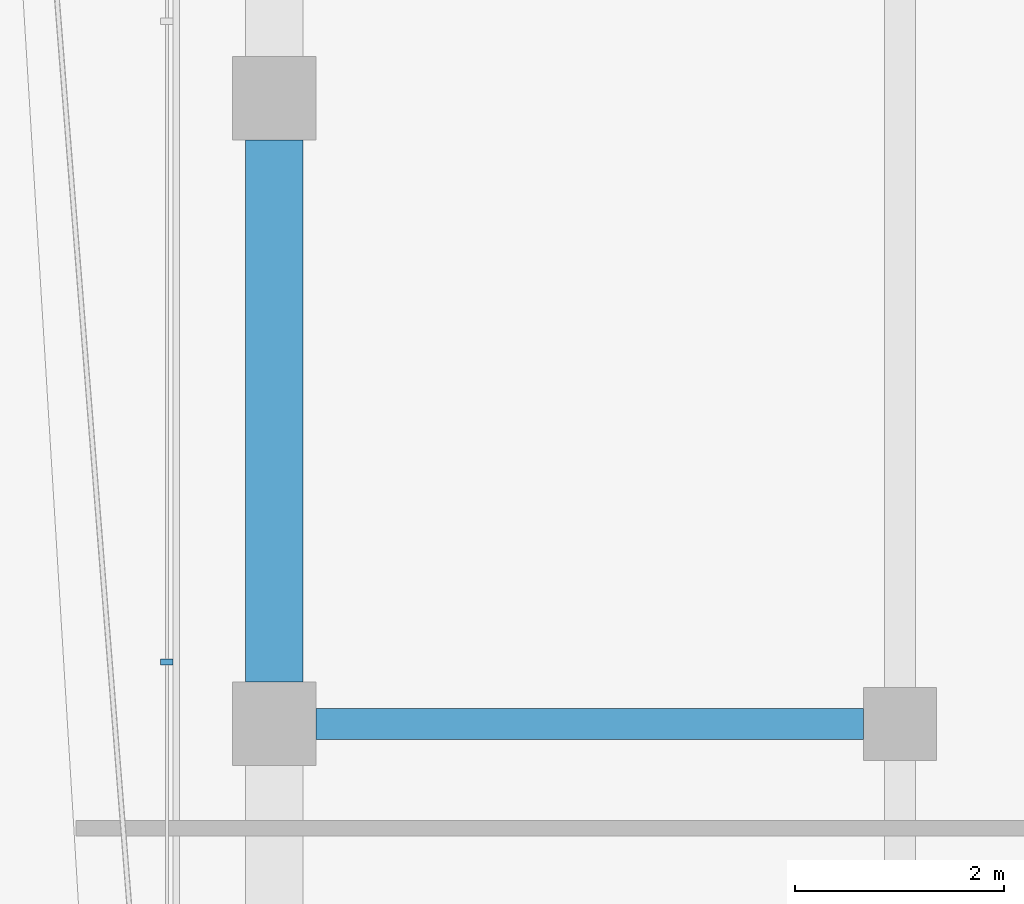
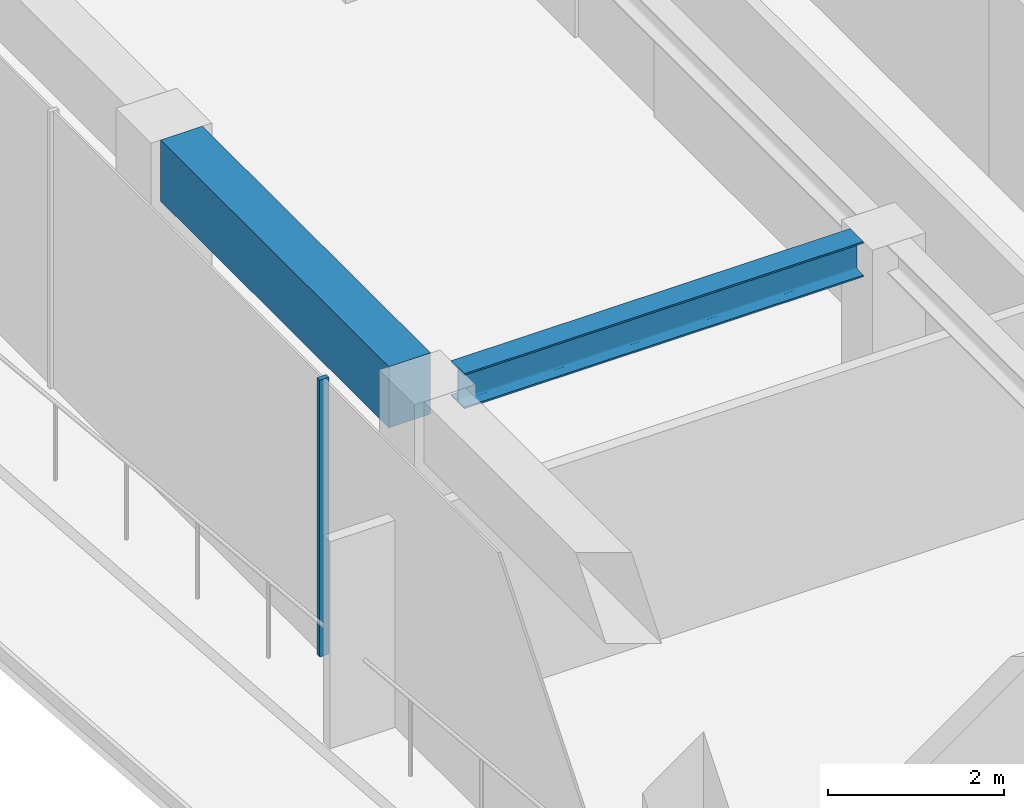
# One storey, part 10 of 21: 2 beams, 1 member, 1 element without a shape of its own.
"""IFC4 building model written with IfcOpenShell, lengths in metres."""

import ifcopenshell
import ifcopenshell.guid

model = None  # the IFC model being written
_history = None  # IfcOwnerHistory: only IFC2X3 demands one
_inside = {}  # id of a spatial element -> (the spatial element, [elements in it])
_under = {}  # id of a project, library or spatial element -> (it, [spatial elements below it])
_declared = {}  # id of a project -> (the project, [libraries it declares])
_typed = {}  # id of a type object -> (the type object, [elements of that type])
_made_of = {}  # id of a material, layer set ... -> (it, [elements and type objects made of it])


def new_model(schema):
    """Start an empty IFC model of exactly this schema.

    Asked for "IFC4X3", IfcOpenShell would pick the latest addendum, in which some entities
    have other attributes; the version numbers below select the first issue.
    IFC2X3 requires an IfcOwnerHistory on every rooted entity: one is made here for all.
    """
    global model, _history
    if schema == "IFC4X3":
        model = ifcopenshell.file(schema_version=(4, 3, 0, 0))
    else:
        model = ifcopenshell.file(schema=schema)
    _inside.clear()
    _under.clear()
    _declared.clear()
    _typed.clear()
    _made_of.clear()
    _history = None
    if model.schema == "IFC2X3":
        org = make("IfcOrganization", Name="unknown")
        user = make(
            "IfcPersonAndOrganization",
            ThePerson=make("IfcPerson", FamilyName="unknown"),
            TheOrganization=org,
        )
        app = make(
            "IfcApplication",
            ApplicationDeveloper=org,
            Version="unknown",
            ApplicationFullName="unknown",
            ApplicationIdentifier="unknown",
        )
        _history = make(
            "IfcOwnerHistory",
            OwningUser=user,
            OwningApplication=app,
            ChangeAction="ADDED",
            CreationDate=0,
        )
    return model


def make(cls, **values):
    """One entity of the class cls with the attributes given. An attribute that is None is left unset."""
    return model.create_entity(
        cls, **{name: value for name, value in values.items() if value is not None}
    )


def rooted(cls, **values):
    """An entity with a GlobalId (a new one), such as an element, a storey or a relation."""
    return make(cls, GlobalId=ifcopenshell.guid.new(), OwnerHistory=_history, **values)


def si_unit(unit_type, name, prefix=None):
    """IfcSIUnit, for example si_unit("LENGTHUNIT", "METRE", prefix="MILLI")."""
    return make("IfcSIUnit", UnitType=unit_type, Prefix=prefix, Name=name)


def assignment(units):
    """IfcUnitAssignment: the units of a project."""
    return None if units is None else make("IfcUnitAssignment", Units=units)


def point(xyz):
    """IfcCartesianPoint."""
    return None if xyz is None else make("IfcCartesianPoint", Coordinates=xyz)


def direction(xyz):
    """IfcDirection."""
    return None if xyz is None else make("IfcDirection", DirectionRatios=xyz)


def frame(location, z_axis=None, x_axis=None):
    """IfcAxis2Placement3D, a coordinate frame: its origin and axes. An axis left out is left unset."""
    return make(
        "IfcAxis2Placement3D",
        Location=point(location),
        Axis=direction(z_axis),
        RefDirection=direction(x_axis),
    )


def frame_2d(location, x_axis=None):
    """IfcAxis2Placement2D, a coordinate frame in the plane: its origin and x axis."""
    return make(
        "IfcAxis2Placement2D", Location=point(location), RefDirection=direction(x_axis)
    )


def origin():
    """The frame at (0, 0, 0) with its axes left unset."""
    return frame((0.0, 0.0, 0.0))


def origin_2d():
    """The frame at (0, 0) in the plane with its x axis left unset."""
    return frame_2d((0.0, 0.0))


def place(relative_to, where):
    """IfcLocalPlacement: puts the frame where relative to a parent placement (None: the world)."""
    return make(
        "IfcLocalPlacement", PlacementRelTo=relative_to, RelativePlacement=where
    )


def context(
    kind, dimensions, precision=None, world=None, true_north=None, identifier=None
):
    """IfcGeometricRepresentationContext, for example the 3D "Model" context."""
    return make(
        "IfcGeometricRepresentationContext",
        ContextIdentifier=identifier,
        ContextType=kind,
        CoordinateSpaceDimension=dimensions,
        Precision=precision,
        WorldCoordinateSystem=world,
        TrueNorth=true_north,
    )


def subcontext(parent, identifier, kind, view, scale=None):
    """IfcGeometricRepresentationSubContext, for example "Body" below "Model"."""
    return make(
        "IfcGeometricRepresentationSubContext",
        ContextIdentifier=identifier,
        ContextType=kind,
        ParentContext=parent,
        TargetScale=scale,
        TargetView=view,
    )


def project(units=None, contexts=None):
    """IfcProject with its units and contexts."""
    return rooted(
        "IfcProject",
        Name="project",
        RepresentationContexts=contexts,
        UnitsInContext=assignment(units),
    )


def spatial(cls, under=None, at=None, **own):
    """A site, building, storey or space (cls), placed at a placement, below another one or the project."""
    s = rooted(cls, ObjectPlacement=at, **own)
    if under is not None:
        _under.setdefault(under.id(), (under, []))[1].append(s)
    return s


def profile(cls, at=None, kind="AREA", **sizes):
    """A parametric profile (cls). Its sizes go by their IFC names, for example OverallWidth=200.0."""
    return make(cls, ProfileType=kind, Position=at, **sizes)


def rectangle(**sizes):
    """IfcRectangleProfileDef."""
    return profile("IfcRectangleProfileDef", **sizes)


def i_section(**sizes):
    """IfcIShapeProfileDef."""
    return profile("IfcIShapeProfileDef", **sizes)


def extrude(swept, where, along, depth):
    """IfcExtrudedAreaSolid: the profile swept, set in the frame where, extruded along a direction by depth."""
    return make(
        "IfcExtrudedAreaSolid",
        SweptArea=swept,
        Position=where,
        ExtrudedDirection=direction(along),
        Depth=depth,
    )


def shape(context_of_items, identifier, shape_type, items):
    """IfcShapeRepresentation: the items that make up one representation, for example the "Body"."""
    return make(
        "IfcShapeRepresentation",
        ContextOfItems=context_of_items,
        RepresentationIdentifier=identifier,
        RepresentationType=shape_type,
        Items=items,
    )


def material(Name=None, Category=None):
    """IfcMaterial."""
    return make("IfcMaterial", Name=Name, Category=Category)


def layer(
    of_material, thickness, ventilated=None, Name=None, Category=None, Priority=None
):
    """IfcMaterialLayer: one layer of a wall or slab, of a material (None: an air gap)."""
    return make(
        "IfcMaterialLayer",
        Material=of_material,
        LayerThickness=thickness,
        IsVentilated=ventilated,
        Name=Name,
        Category=Category,
        Priority=Priority,
    )


def layer_set(layers, Name=None):
    """IfcMaterialLayerSet."""
    return make("IfcMaterialLayerSet", MaterialLayers=layers, LayerSetName=Name)


def material_profile(
    of_material, cross_section, Name=None, Category=None, Priority=None
):
    """IfcMaterialProfile: a cross section and its material."""
    return make(
        "IfcMaterialProfile",
        Name=Name,
        Material=of_material,
        Profile=cross_section,
        Priority=Priority,
        Category=Category,
    )


def profile_set(profiles, Name=None, composite=None):
    """IfcMaterialProfileSet."""
    return make(
        "IfcMaterialProfileSet",
        Name=Name,
        MaterialProfiles=profiles,
        CompositeProfile=composite,
    )


def made_of(thing, what):
    """Note that an element or type object is made of a material, layer set ...; save() writes the relation."""
    if what is not None:
        _made_of.setdefault(what.id(), (what, []))[1].append(thing)
    return thing


def type_object(cls, material=None, **own):
    """A type object (cls), such as IfcWallType, which elements share."""
    return made_of(rooted(cls, **own), material)


def element(
    cls,
    number,
    at=None,
    inside=None,
    cuts=None,
    type_object=None,
    material=None,
    context=None,
    identifier="Body",
    shape_type=None,
    held_by="IfcProductDefinitionShape",
    body=None,
    shapes=None,
    **own,
):
    """One element of the class cls, such as IfcWall. Its Tag is "e" and its number.

    at: its placement. inside: the storey or other place that contains it. cuts: it is an
    opening in that element (IfcRelVoidsElement). A single representation is given by context,
    identifier, shape_type and body (its items); several are given by shapes. held_by: the class
    of the entity that holds the representations. save() writes the other relations.
    """
    e = rooted(cls, Tag="e%d" % number, ObjectPlacement=at, **own)
    if body is not None:
        shapes = [shape(context, identifier, shape_type, body)]
    if shapes is not None:
        e.Representation = make(held_by, Representations=shapes)
    if inside is not None:
        _inside.setdefault(inside.id(), (inside, []))[1].append(e)
    if cuts is not None:
        rooted(
            "IfcRelVoidsElement", RelatingBuildingElement=cuts, RelatedOpeningElement=e
        )
    if type_object is not None:
        _typed.setdefault(type_object.id(), (type_object, []))[1].append(e)
    return made_of(e, material)


def aggregate(whole, parts):
    """IfcRelAggregates: a whole, such as a stair, and the parts it consists of."""
    return rooted("IfcRelAggregates", RelatingObject=whole, RelatedObjects=parts)


def save(model, path):
    """Write the relations noted so far, then the file.

    IfcRelAggregates (storeys below a building ...), IfcRelContainedInSpatialStructure (elements
    in a storey), IfcRelDefinesByType, IfcRelAssociatesMaterial and IfcRelDeclares: one each for
    every whole, place, type object, material and project.
    """
    for whole, parts in _under.values():
        aggregate(whole, parts)
    for where, things in _inside.values():
        rooted(
            "IfcRelContainedInSpatialStructure",
            RelatedElements=things,
            RelatingStructure=where,
        )
    for kind, things in _typed.values():
        rooted("IfcRelDefinesByType", RelatedObjects=things, RelatingType=kind)
    for what, things in _made_of.values():
        rooted("IfcRelAssociatesMaterial", RelatedObjects=things, RelatingMaterial=what)
    for by, libraries in _declared.values():
        rooted("IfcRelDeclares", RelatingContext=by, RelatedDefinitions=libraries)
    model.write(path)


model = new_model("IFC4")

# Units and contexts
model_context = context("Model", 3, precision=1e-05, world=origin(), true_north=direction((0.0, 1.0)))
body_context = subcontext(model_context, "Body", "Model", "MODEL_VIEW")
ifc_project = project(units=[si_unit("LENGTHUNIT", "METRE"), si_unit("AREAUNIT", "SQUARE_METRE"), si_unit("VOLUMEUNIT", "CUBIC_METRE"), si_unit("PLANEANGLEUNIT", "RADIAN"), si_unit("MASSUNIT", "GRAM", prefix="KILO")], contexts=[model_context])

# Site, building, storey
site_placement = place(None, origin())
site = spatial("IfcSite", under=ifc_project, at=site_placement, CompositionType="ELEMENT")
building_placement = place(site_placement, origin())
building = spatial("IfcBuilding", under=site, at=building_placement, Name="Welwitschia Terrace Campus", CompositionType="ELEMENT")
storey_placement = place(building_placement, frame((0.0, 0.0, 213.800048828125)))
storey = spatial("IfcBuildingStorey", under=building, at=storey_placement, Name="L47", CompositionType="ELEMENT", Elevation=213.800048828125)

# Curtain wall, member
ifc_material_1 = material(Name="Bronze anodised aluminium", Category="aluminium")
ifc_layer = layer(ifc_material_1, 0.1201171875)
ifc_layer_set = layer_set([ifc_layer], Name="Bronze anodised aluminium")
curtain_wall_type = type_object("IfcCurtainWallType", Name="Curtain wall CW2 tower 6000", PredefinedType="NOTDEFINED", material=ifc_layer_set)
curtain_wall_placement = place(storey_placement, origin())
curtain_wall = element("IfcCurtainWall", 1, at=curtain_wall_placement, inside=storey, type_object=curtain_wall_type, Name="CW L47.8.0", PredefinedType="NOTDEFINED")
ifc_material_2 = material(Name="Bronze anodised aluminium", Category="aluminium")
ifc_material_profile_1 = material_profile(ifc_material_2, rectangle(XDim=0.1201171875, YDim=0.06005859375, at=origin_2d()))
ifc_profile_set_1 = profile_set([ifc_material_profile_1], Name="Bronze anodised aluminium")
member_type = type_object("IfcMemberType", Name="Mullion 60x120", PredefinedType="MULLION", material=ifc_profile_set_1)
member_placement = place(storey_placement, frame((-1.030029296875, 52.593017578125, 0.0), z_axis=(0.0, 0.0, 1.0), x_axis=(1.0, 0.0, 0.0)))
member = element("IfcMember", 2, at=member_placement, type_object=member_type, Name="Mullion L47.8.0.3", PredefinedType="MULLION", context=body_context, shape_type="SweptSolid", body=[
    extrude(rectangle(XDim=0.1201171875, YDim=0.06005859375, at=origin_2d()), origin(), (0.0, 0.0, 1.0), 3.849853515625),
])
aggregate(curtain_wall, [member])

# Beams
ifc_material_3 = material(Name="Steel S355", Category="steel")
ifc_material_profile_2 = material_profile(ifc_material_3, i_section(OverallWidth=0.300048828125, OverallDepth=0.489990234375, WebThickness=0.011962890625, FlangeThickness=0.02294921875, FilletRadius=0.027099609375, at=origin_2d()))
ifc_profile_set_2 = profile_set([ifc_material_profile_2], Name="Steel S355")
beam_type_1 = type_object("IfcBeamType", Name="Primary beam HE 500 A", PredefinedType="BEAM", material=ifc_profile_set_2)
beam_1_placement = place(storey_placement, frame((0.400390625, 52.0, 3.60498046875), z_axis=(1.0, 0.0, 0.0), x_axis=(0.0, 1.0, 0.0)))
element("IfcBeam", 3, at=beam_1_placement, inside=storey, type_object=beam_type_1, Name="Primary beam PB5", PredefinedType="BEAM", context=body_context, shape_type="SweptSolid", body=[
    extrude(i_section(OverallWidth=0.300048828125, OverallDepth=0.489990234375, WebThickness=0.011962890625, FlangeThickness=0.02294921875, FilletRadius=0.027099609375, at=origin_2d()), origin(), (0.0, 0.0, 1.0), 5.2490234375),
])
ifc_material_4 = material(Name="Concrete C50/60", Category="concrete")
ifc_material_profile_3 = material_profile(ifc_material_4, rectangle(XDim=0.550048828125, YDim=0.85009765625, at=origin_2d()))
ifc_profile_set_3 = profile_set([ifc_material_profile_3], Name="Concrete C50/60")
beam_type_2 = type_object("IfcBeamType", Name="Ring spandrel 550x850", PredefinedType="SPANDREL", material=ifc_profile_set_3)
beam_2_placement = place(storey_placement, frame((0.0, 57.599609375, 3.425048828125), z_axis=(0.0, -1.0, 0.0), x_axis=(1.0, 0.0, 0.0)))
element("IfcBeam", 4, at=beam_2_placement, inside=storey, type_object=beam_type_2, Name="Spandrel SP3", PredefinedType="SPANDREL", context=body_context, shape_type="SweptSolid", body=[
    extrude(rectangle(XDim=0.550048828125, YDim=0.85009765625, at=origin_2d()), origin(), (0.0, 0.0, 1.0), 5.19921875),
])

save(model, "model.ifc")
